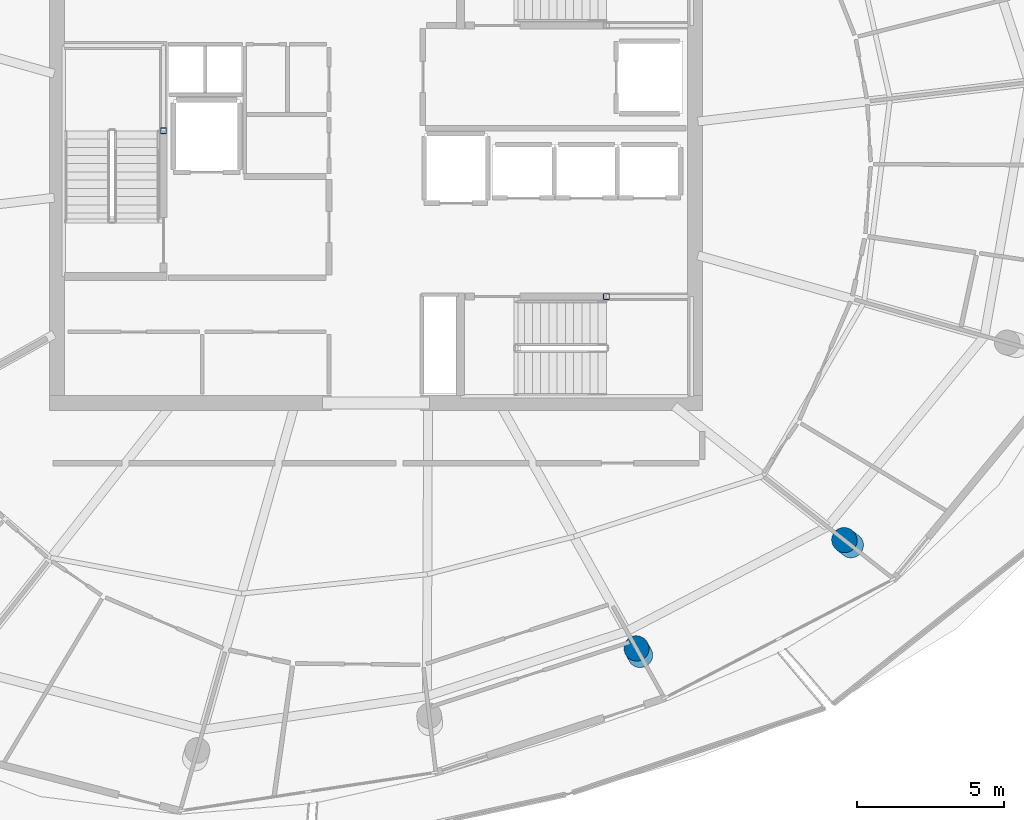
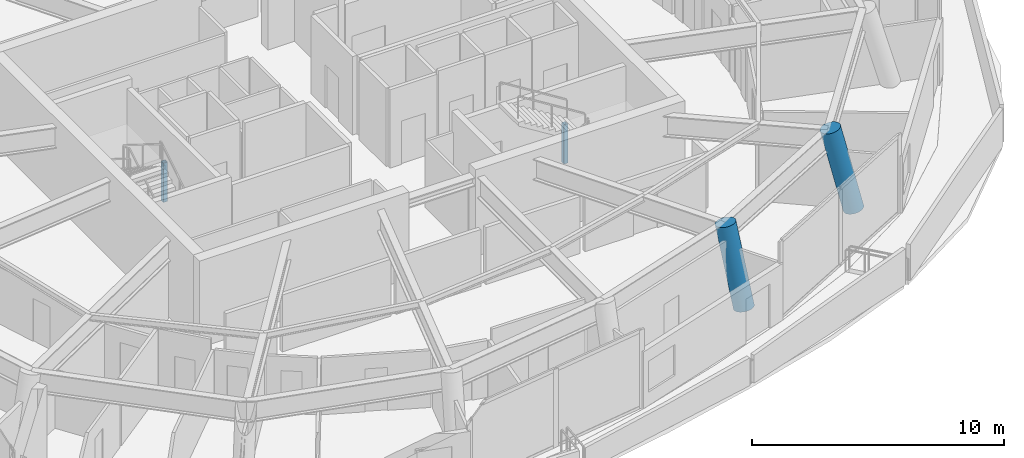
# One storey, part 2 of 19: 4 columns.
"""IFC4 building model written with IfcOpenShell, lengths in metres."""

import ifcopenshell
import ifcopenshell.guid

model = None  # the IFC model being written
_history = None  # IfcOwnerHistory: only IFC2X3 demands one
_inside = {}  # id of a spatial element -> (the spatial element, [elements in it])
_under = {}  # id of a project, library or spatial element -> (it, [spatial elements below it])
_declared = {}  # id of a project -> (the project, [libraries it declares])
_typed = {}  # id of a type object -> (the type object, [elements of that type])
_made_of = {}  # id of a material, layer set ... -> (it, [elements and type objects made of it])


def new_model(schema):
    """Start an empty IFC model of exactly this schema.

    Asked for "IFC4X3", IfcOpenShell would pick the latest addendum, in which some entities
    have other attributes; the version numbers below select the first issue.
    IFC2X3 requires an IfcOwnerHistory on every rooted entity: one is made here for all.
    """
    global model, _history
    if schema == "IFC4X3":
        model = ifcopenshell.file(schema_version=(4, 3, 0, 0))
    else:
        model = ifcopenshell.file(schema=schema)
    _inside.clear()
    _under.clear()
    _declared.clear()
    _typed.clear()
    _made_of.clear()
    _history = None
    if model.schema == "IFC2X3":
        org = make("IfcOrganization", Name="unknown")
        user = make(
            "IfcPersonAndOrganization",
            ThePerson=make("IfcPerson", FamilyName="unknown"),
            TheOrganization=org,
        )
        app = make(
            "IfcApplication",
            ApplicationDeveloper=org,
            Version="unknown",
            ApplicationFullName="unknown",
            ApplicationIdentifier="unknown",
        )
        _history = make(
            "IfcOwnerHistory",
            OwningUser=user,
            OwningApplication=app,
            ChangeAction="ADDED",
            CreationDate=0,
        )
    return model


def make(cls, **values):
    """One entity of the class cls with the attributes given. An attribute that is None is left unset."""
    return model.create_entity(
        cls, **{name: value for name, value in values.items() if value is not None}
    )


def rooted(cls, **values):
    """An entity with a GlobalId (a new one), such as an element, a storey or a relation."""
    return make(cls, GlobalId=ifcopenshell.guid.new(), OwnerHistory=_history, **values)


def si_unit(unit_type, name, prefix=None):
    """IfcSIUnit, for example si_unit("LENGTHUNIT", "METRE", prefix="MILLI")."""
    return make("IfcSIUnit", UnitType=unit_type, Prefix=prefix, Name=name)


def assignment(units):
    """IfcUnitAssignment: the units of a project."""
    return None if units is None else make("IfcUnitAssignment", Units=units)


def point(xyz):
    """IfcCartesianPoint."""
    return None if xyz is None else make("IfcCartesianPoint", Coordinates=xyz)


def direction(xyz):
    """IfcDirection."""
    return None if xyz is None else make("IfcDirection", DirectionRatios=xyz)


def frame(location, z_axis=None, x_axis=None):
    """IfcAxis2Placement3D, a coordinate frame: its origin and axes. An axis left out is left unset."""
    return make(
        "IfcAxis2Placement3D",
        Location=point(location),
        Axis=direction(z_axis),
        RefDirection=direction(x_axis),
    )


def frame_2d(location, x_axis=None):
    """IfcAxis2Placement2D, a coordinate frame in the plane: its origin and x axis."""
    return make(
        "IfcAxis2Placement2D", Location=point(location), RefDirection=direction(x_axis)
    )


def origin():
    """The frame at (0, 0, 0) with its axes left unset."""
    return frame((0.0, 0.0, 0.0))


def origin_2d():
    """The frame at (0, 0) in the plane with its x axis left unset."""
    return frame_2d((0.0, 0.0))


def place(relative_to, where):
    """IfcLocalPlacement: puts the frame where relative to a parent placement (None: the world)."""
    return make(
        "IfcLocalPlacement", PlacementRelTo=relative_to, RelativePlacement=where
    )


def context(
    kind, dimensions, precision=None, world=None, true_north=None, identifier=None
):
    """IfcGeometricRepresentationContext, for example the 3D "Model" context."""
    return make(
        "IfcGeometricRepresentationContext",
        ContextIdentifier=identifier,
        ContextType=kind,
        CoordinateSpaceDimension=dimensions,
        Precision=precision,
        WorldCoordinateSystem=world,
        TrueNorth=true_north,
    )


def subcontext(parent, identifier, kind, view, scale=None):
    """IfcGeometricRepresentationSubContext, for example "Body" below "Model"."""
    return make(
        "IfcGeometricRepresentationSubContext",
        ContextIdentifier=identifier,
        ContextType=kind,
        ParentContext=parent,
        TargetScale=scale,
        TargetView=view,
    )


def project(units=None, contexts=None):
    """IfcProject with its units and contexts."""
    return rooted(
        "IfcProject",
        Name="project",
        RepresentationContexts=contexts,
        UnitsInContext=assignment(units),
    )


def spatial(cls, under=None, at=None, **own):
    """A site, building, storey or space (cls), placed at a placement, below another one or the project."""
    s = rooted(cls, ObjectPlacement=at, **own)
    if under is not None:
        _under.setdefault(under.id(), (under, []))[1].append(s)
    return s


def profile(cls, at=None, kind="AREA", **sizes):
    """A parametric profile (cls). Its sizes go by their IFC names, for example OverallWidth=200.0."""
    return make(cls, ProfileType=kind, Position=at, **sizes)


def hollow_rectangle(**sizes):
    """IfcRectangleHollowProfileDef."""
    return profile("IfcRectangleHollowProfileDef", **sizes)


def circle(**sizes):
    """IfcCircleProfileDef."""
    return profile("IfcCircleProfileDef", **sizes)


def extrude(swept, where, along, depth):
    """IfcExtrudedAreaSolid: the profile swept, set in the frame where, extruded along a direction by depth."""
    return make(
        "IfcExtrudedAreaSolid",
        SweptArea=swept,
        Position=where,
        ExtrudedDirection=direction(along),
        Depth=depth,
    )


def shape(context_of_items, identifier, shape_type, items):
    """IfcShapeRepresentation: the items that make up one representation, for example the "Body"."""
    return make(
        "IfcShapeRepresentation",
        ContextOfItems=context_of_items,
        RepresentationIdentifier=identifier,
        RepresentationType=shape_type,
        Items=items,
    )


def material(Name=None, Category=None):
    """IfcMaterial."""
    return make("IfcMaterial", Name=Name, Category=Category)


def material_profile(
    of_material, cross_section, Name=None, Category=None, Priority=None
):
    """IfcMaterialProfile: a cross section and its material."""
    return make(
        "IfcMaterialProfile",
        Name=Name,
        Material=of_material,
        Profile=cross_section,
        Priority=Priority,
        Category=Category,
    )


def profile_set(profiles, Name=None, composite=None):
    """IfcMaterialProfileSet."""
    return make(
        "IfcMaterialProfileSet",
        Name=Name,
        MaterialProfiles=profiles,
        CompositeProfile=composite,
    )


def made_of(thing, what):
    """Note that an element or type object is made of a material, layer set ...; save() writes the relation."""
    if what is not None:
        _made_of.setdefault(what.id(), (what, []))[1].append(thing)
    return thing


def type_object(cls, material=None, **own):
    """A type object (cls), such as IfcWallType, which elements share."""
    return made_of(rooted(cls, **own), material)


def element(
    cls,
    number,
    at=None,
    inside=None,
    cuts=None,
    type_object=None,
    material=None,
    context=None,
    identifier="Body",
    shape_type=None,
    held_by="IfcProductDefinitionShape",
    body=None,
    shapes=None,
    **own,
):
    """One element of the class cls, such as IfcWall. Its Tag is "e" and its number.

    at: its placement. inside: the storey or other place that contains it. cuts: it is an
    opening in that element (IfcRelVoidsElement). A single representation is given by context,
    identifier, shape_type and body (its items); several are given by shapes. held_by: the class
    of the entity that holds the representations. save() writes the other relations.
    """
    e = rooted(cls, Tag="e%d" % number, ObjectPlacement=at, **own)
    if body is not None:
        shapes = [shape(context, identifier, shape_type, body)]
    if shapes is not None:
        e.Representation = make(held_by, Representations=shapes)
    if inside is not None:
        _inside.setdefault(inside.id(), (inside, []))[1].append(e)
    if cuts is not None:
        rooted(
            "IfcRelVoidsElement", RelatingBuildingElement=cuts, RelatedOpeningElement=e
        )
    if type_object is not None:
        _typed.setdefault(type_object.id(), (type_object, []))[1].append(e)
    return made_of(e, material)


def aggregate(whole, parts):
    """IfcRelAggregates: a whole, such as a stair, and the parts it consists of."""
    return rooted("IfcRelAggregates", RelatingObject=whole, RelatedObjects=parts)


def save(model, path):
    """Write the relations noted so far, then the file.

    IfcRelAggregates (storeys below a building ...), IfcRelContainedInSpatialStructure (elements
    in a storey), IfcRelDefinesByType, IfcRelAssociatesMaterial and IfcRelDeclares: one each for
    every whole, place, type object, material and project.
    """
    for whole, parts in _under.values():
        aggregate(whole, parts)
    for where, things in _inside.values():
        rooted(
            "IfcRelContainedInSpatialStructure",
            RelatedElements=things,
            RelatingStructure=where,
        )
    for kind, things in _typed.values():
        rooted("IfcRelDefinesByType", RelatedObjects=things, RelatingType=kind)
    for what, things in _made_of.values():
        rooted("IfcRelAssociatesMaterial", RelatedObjects=things, RelatingMaterial=what)
    for by, libraries in _declared.values():
        rooted("IfcRelDeclares", RelatingContext=by, RelatedDefinitions=libraries)
    model.write(path)


model = new_model("IFC4")

# Units and contexts
model_context = context("Model", 3, precision=1e-05, world=origin(), true_north=direction((0.0, 1.0)))
body_context = subcontext(model_context, "Body", "Model", "MODEL_VIEW")
ifc_project = project(units=[si_unit("LENGTHUNIT", "METRE"), si_unit("AREAUNIT", "SQUARE_METRE"), si_unit("VOLUMEUNIT", "CUBIC_METRE"), si_unit("PLANEANGLEUNIT", "RADIAN"), si_unit("MASSUNIT", "GRAM", prefix="KILO")], contexts=[model_context])

# Site, building, storey
site_placement = place(None, origin())
site = spatial("IfcSite", under=ifc_project, at=site_placement, CompositionType="ELEMENT")
building_placement = place(site_placement, origin())
building = spatial("IfcBuilding", under=site, at=building_placement, Name="Kazma Halo Residences", CompositionType="ELEMENT")
storey_placement = place(building_placement, frame((0.0, 0.0, 347.300048828125)))
storey = spatial("IfcBuildingStorey", under=building, at=storey_placement, Name="L87", CompositionType="ELEMENT", Elevation=347.300048828125)

# Columns
ifc_material_1 = material(Name="Steel S355", Category="steel")
ifc_material_profile_1 = material_profile(ifc_material_1, hollow_rectangle(XDim=0.199951171875, YDim=0.199951171875, WallThickness=0.010009765625, InnerFilletRadius=0.010009765625, OuterFilletRadius=0.02001953125, at=origin_2d()), Name="SHS200x200x10")
ifc_profile_set_1 = profile_set([ifc_material_profile_1], Name="Steel S355")
column_type_1 = type_object("IfcColumnType", Name="COL-LP-SHS200", PredefinedType="COLUMN", material=ifc_profile_set_1)
for number, where, z_axis, x_axis, name in (
    (1, (41.179931640625, 43.030029296875, 0.0), (0.0, 0.0, 1.0), (1.0, 0.0, 0.0), "L87 ST-01 landing pilaster 1"),
    (2, (56.280029296875, 37.3798828125, 0.0), (0.0, 0.0, 1.0), (1.0, 0.0, 0.0), "L87 ST-03 landing pilaster 1"),
):
    element("IfcColumn", number, at=place(storey_placement, frame(where, z_axis=z_axis, x_axis=x_axis)), inside=storey, type_object=column_type_1, Name=name, PredefinedType="COLUMN", context=body_context, shape_type="SweptSolid", body=[
        extrude(hollow_rectangle(XDim=0.199951171875, YDim=0.199951171875, WallThickness=0.010009765625, InnerFilletRadius=0.010009765625, OuterFilletRadius=0.02001953125, at=origin_2d()), origin(), (0.0, 0.0, 1.0), 1.89501953125),
    ])
ifc_material_2 = material(Name="Concrete C60/75", Category="concrete")
ifc_material_profile_2 = material_profile(ifc_material_2, circle(Radius=0.425048828125, at=origin_2d()), Name="CIRC850")
ifc_profile_set_2 = profile_set([ifc_material_profile_2], Name="Concrete C60/75")
column_type_2 = type_object("IfcColumnType", Name="COL-PERIM-850", PredefinedType="COLUMN", material=ifc_profile_set_2)
column_1_placement = place(storey_placement, frame((57.436767578125, 25.1494140625, 0.0), z_axis=(-0.1069476294, 0.19095104288, 0.975756067769), x_axis=(-0.872476708142, -0.488655700621, 0.0)))
element("IfcColumn", 3, at=column_1_placement, inside=storey, type_object=column_type_2, Name="L87 perimeter ring column P13", PredefinedType="COLUMN", context=body_context, shape_type="SweptSolid", body=[
    extrude(circle(Radius=0.425048828125, at=origin_2d()), origin(), (0.0, 0.0, 1.0), 3.89453125),
])
column_2_placement = place(storey_placement, frame((64.626220703125, 28.89306640625, 0.0), z_axis=(-0.187539260208, 0.147797906664, 0.971074046953), x_axis=(-0.618974809296, -0.785410838642, 0.0)))
element("IfcColumn", 4, at=column_2_placement, inside=storey, type_object=column_type_2, Name="L87 perimeter ring column P14", PredefinedType="COLUMN", context=body_context, shape_type="SweptSolid", body=[
    extrude(circle(Radius=0.425048828125, at=origin_2d()), origin(), (0.0, 0.0, 1.0), 3.913330078125),
])

save(model, "model.ifc")
